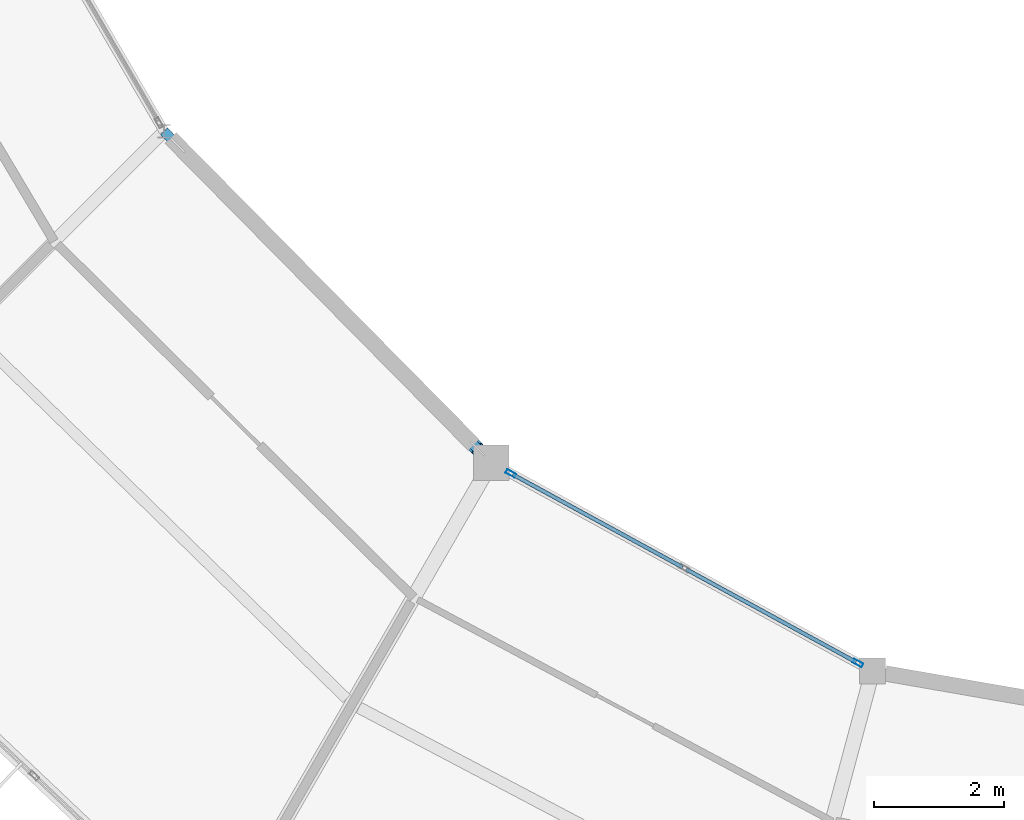
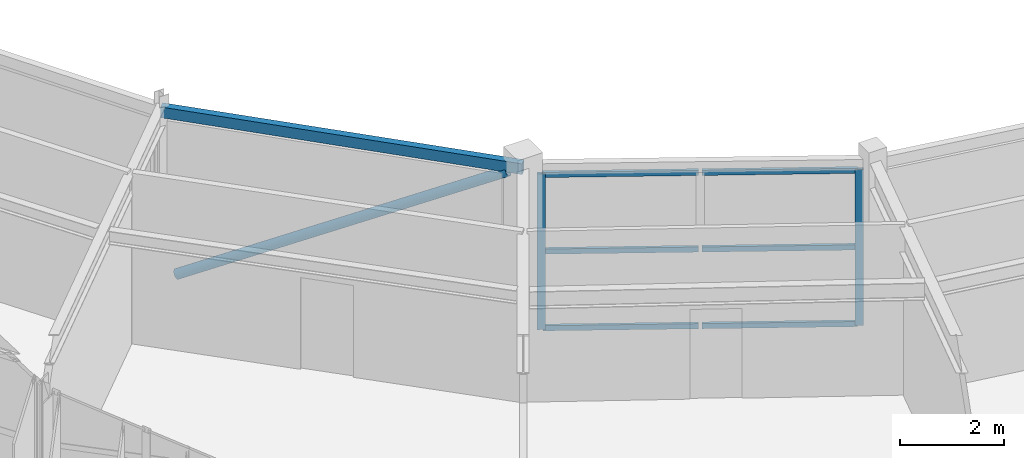
# One storey, part 27 of 130: 9 members, 1 beam, 1 element without a shape of its own.
"""IFC4 building model written with IfcOpenShell, lengths in metres."""

from ifc_helpers import new_model, si_unit, direction, frame, origin, origin_2d, place, context, subcontext, project, spatial, hollow_rectangle, hollow_circle, extrude, material, material_profile, profile_set, type_object, element, aggregate, save


model = new_model("IFC4")

# Units and contexts
model_context = context("Model", 3, precision=1e-05, world=origin(), true_north=direction((0.0, 1.0)))
body_context = subcontext(model_context, "Body", "Model", "MODEL_VIEW")
ifc_project = project(units=[si_unit("LENGTHUNIT", "METRE"), si_unit("AREAUNIT", "SQUARE_METRE"), si_unit("VOLUMEUNIT", "CUBIC_METRE"), si_unit("PLANEANGLEUNIT", "RADIAN"), si_unit("MASSUNIT", "GRAM", prefix="KILO")], contexts=[model_context])

# Site, building, storey
site_placement = place(None, origin())
site = spatial("IfcSite", under=ifc_project, at=site_placement, CompositionType="ELEMENT")
building_placement = place(site_placement, origin())
building = spatial("IfcBuilding", under=site, at=building_placement, Name="Karori Crest Natural Sciences Institute", CompositionType="ELEMENT")
storey_placement = place(building_placement, frame((0.0, 0.0, 17.5)))
storey = spatial("IfcBuildingStorey", under=building, at=storey_placement, Name="L04", CompositionType="ELEMENT", Elevation=17.5)

# Beam
ifc_material_1 = material(Name="Hollow structural steel AS/NZS 1163 Grade C350", Category="steel")
ifc_material_profile_1 = material_profile(ifc_material_1, hollow_rectangle(XDim=0.14990234375, YDim=0.25, WallThickness=0.009033203125, at=origin_2d()), Name="RHS250x150x9")
ifc_profile_set_1 = profile_set([ifc_material_profile_1], Name="Hollow structural steel AS/NZS 1163 Grade C350")
beam_type = type_object("IfcBeamType", Name="BT-16", PredefinedType="SPANDREL", material=ifc_profile_set_1)
beam_placement = place(storey_placement, frame((49.146484375, 27.131103515625, 3.7900390625), z_axis=(0.70266285879, -0.711522948946, 0.0), x_axis=(0.711522948946, 0.70266285879, 0.0)))
element("IfcBeam", 1, at=beam_placement, inside=storey, type_object=beam_type, Name="Beam B-0507", PredefinedType="SPANDREL", context=body_context, shape_type="SweptSolid", body=[
    extrude(hollow_rectangle(XDim=0.14990234375, YDim=0.25, WallThickness=0.009033203125, at=origin_2d()), origin(), (0.0, 0.0, 1.0), 7.19189453125),
])

# Curtain wall, members
ifc_material_2 = material(Name="Anodised architectural aluminium 6063-T6", Category="aluminium")
curtain_wall_type = type_object("IfcCurtainWallType", Name="CWT-12", PredefinedType="NOTDEFINED", material=ifc_material_2)
curtain_wall_placement = place(storey_placement, origin())
curtain_wall = element("IfcCurtainWall", 2, at=curtain_wall_placement, inside=storey, type_object=curtain_wall_type, Name="Curtain wall CW-0161", PredefinedType="NOTDEFINED")
ifc_material_profile_2 = material_profile(ifc_material_2, hollow_rectangle(XDim=0.06494140625, YDim=0.159912109375, WallThickness=0.00390625, at=origin_2d()), Name="CWM160x65x4")
ifc_profile_set_2 = profile_set([ifc_material_profile_2], Name="Anodised architectural aluminium 6063-T6")
member_type_1 = type_object("IfcMemberType", Name="CWM-01", PredefinedType="MULLION", material=ifc_profile_set_2)
member_1_placement = place(storey_placement, frame((54.501708984375, 21.84912109375, 0.0), z_axis=(0.0, 0.0, 1.0), x_axis=(0.479631017431, 0.877470277057, 0.0)))
member_1 = element("IfcMember", 3, at=member_1_placement, type_object=member_type_1, Name="CW-0161 mullion 1", PredefinedType="MULLION", context=body_context, shape_type="SweptSolid", body=[
    extrude(hollow_rectangle(XDim=0.06494140625, YDim=0.159912109375, WallThickness=0.00390625, at=origin_2d()), origin(), (0.0, 0.0, 1.0), 3.64990234375),
])
member_2_placement = place(storey_placement, frame((59.858154296875, 18.921142578125, 0.0), z_axis=(0.0, 0.0, 1.0), x_axis=(0.479631017431, 0.877470277057, 0.0)))
member_2 = element("IfcMember", 4, at=member_2_placement, type_object=member_type_1, Name="CW-0161 mullion 3", PredefinedType="MULLION", context=body_context, shape_type="SweptSolid", body=[
    extrude(hollow_rectangle(XDim=0.06494140625, YDim=0.159912109375, WallThickness=0.00390625, at=origin_2d()), origin(), (0.0, 0.0, 1.0), 3.64990234375),
])
ifc_material_profile_3 = material_profile(ifc_material_2, hollow_rectangle(XDim=0.06005859375, YDim=0.1201171875, WallThickness=0.00390625, at=origin_2d()), Name="CWT120x60x4")
ifc_profile_set_3 = profile_set([ifc_material_profile_3], Name="Anodised architectural aluminium 6063-T6")
member_type_2 = type_object("IfcMemberType", Name="CWT-TR1", PredefinedType="USERDEFINED", material=ifc_profile_set_3)
member_3_placement = place(storey_placement, frame((54.5302734375, 21.83349609375, 0.030029296875), z_axis=(0.877448541585, -0.479670779672, 0.0), x_axis=(0.479670779672, 0.877448541585, 0.0)))
member_3 = element("IfcMember", 5, at=member_3_placement, type_object=member_type_2, Name="CW-0161 transom 1.1", ObjectType="TRANSOM", PredefinedType="USERDEFINED", context=body_context, shape_type="SweptSolid", body=[
    extrude(hollow_rectangle(XDim=0.06005859375, YDim=0.1201171875, WallThickness=0.00390625, at=origin_2d()), origin(), (0.0, 0.0, 1.0), 2.987060546875),
])
member_4_placement = place(storey_placement, frame((54.5302734375, 21.83349609375, 1.824951171875), z_axis=(0.877448541585, -0.479670779672, 0.0), x_axis=(0.479670779672, 0.877448541585, 0.0)))
member_4 = element("IfcMember", 6, at=member_4_placement, type_object=member_type_2, Name="CW-0161 transom 1.2", ObjectType="TRANSOM", PredefinedType="USERDEFINED", context=body_context, shape_type="SweptSolid", body=[
    extrude(hollow_rectangle(XDim=0.06005859375, YDim=0.1201171875, WallThickness=0.00390625, at=origin_2d()), origin(), (0.0, 0.0, 1.0), 2.987060546875),
])
member_5_placement = place(storey_placement, frame((54.5302734375, 21.83349609375, 3.6201171875), z_axis=(0.877448541585, -0.479670779672, 0.0), x_axis=(0.479670779672, 0.877448541585, 0.0)))
member_5 = element("IfcMember", 7, at=member_5_placement, type_object=member_type_2, Name="CW-0161 transom 1.3", ObjectType="TRANSOM", PredefinedType="USERDEFINED", context=body_context, shape_type="SweptSolid", body=[
    extrude(hollow_rectangle(XDim=0.06005859375, YDim=0.1201171875, WallThickness=0.00390625, at=origin_2d()), origin(), (0.0, 0.0, 1.0), 2.987060546875),
])
member_6_placement = place(storey_placement, frame((57.20849609375, 20.36962890625, 0.030029296875), z_axis=(0.877448541585, -0.479670779672, 0.0), x_axis=(0.479670779672, 0.877448541585, 0.0)))
member_6 = element("IfcMember", 8, at=member_6_placement, type_object=member_type_2, Name="CW-0161 transom 2.1", ObjectType="TRANSOM", PredefinedType="USERDEFINED", context=body_context, shape_type="SweptSolid", body=[
    extrude(hollow_rectangle(XDim=0.06005859375, YDim=0.1201171875, WallThickness=0.00390625, at=origin_2d()), origin(), (0.0, 0.0, 1.0), 2.987060546875),
])
member_7_placement = place(storey_placement, frame((57.20849609375, 20.36962890625, 1.824951171875), z_axis=(0.877448541585, -0.479670779672, 0.0), x_axis=(0.479670779672, 0.877448541585, 0.0)))
member_7 = element("IfcMember", 9, at=member_7_placement, type_object=member_type_2, Name="CW-0161 transom 2.2", ObjectType="TRANSOM", PredefinedType="USERDEFINED", context=body_context, shape_type="SweptSolid", body=[
    extrude(hollow_rectangle(XDim=0.06005859375, YDim=0.1201171875, WallThickness=0.00390625, at=origin_2d()), origin(), (0.0, 0.0, 1.0), 2.987060546875),
])
member_8_placement = place(storey_placement, frame((57.20849609375, 20.36962890625, 3.6201171875), z_axis=(0.877448541585, -0.479670779672, 0.0), x_axis=(0.479670779672, 0.877448541585, 0.0)))
member_8 = element("IfcMember", 10, at=member_8_placement, type_object=member_type_2, Name="CW-0161 transom 2.3", ObjectType="TRANSOM", PredefinedType="USERDEFINED", context=body_context, shape_type="SweptSolid", body=[
    extrude(hollow_rectangle(XDim=0.06005859375, YDim=0.1201171875, WallThickness=0.00390625, at=origin_2d()), origin(), (0.0, 0.0, 1.0), 2.987060546875),
])
aggregate(curtain_wall, [member_1, member_2, member_3, member_4, member_5, member_6, member_7, member_8])

# Member
ifc_material_profile_4 = material_profile(ifc_material_1, hollow_circle(Radius=0.109619140625, WallThickness=0.00830078125, at=origin_2d()), Name="CHS219.1x8.2")
ifc_profile_set_4 = profile_set([ifc_material_profile_4], Name="Hollow structural steel AS/NZS 1163 Grade C350")
member_type_3 = type_object("IfcMemberType", Name="MT-02", PredefinedType="BRACE", material=ifc_profile_set_4)
member_9_placement = place(storey_placement, frame((49.357421875, 26.917724609375, 0.010009765625), z_axis=(0.615119484546, -0.62286845971, 0.483386906763), x_axis=(0.711518857686, 0.702667001614, 0.0)))
element("IfcMember", 11, at=member_9_placement, inside=storey, type_object=member_type_3, Name="Diagonal Brace M-0023", PredefinedType="BRACE", context=body_context, shape_type="SweptSolid", body=[
    extrude(hollow_circle(Radius=0.109619140625, WallThickness=0.00830078125, at=origin_2d()), origin(), (0.0, 0.0, 1.0), 7.530029296875),
])

save(model, "model.ifc")
